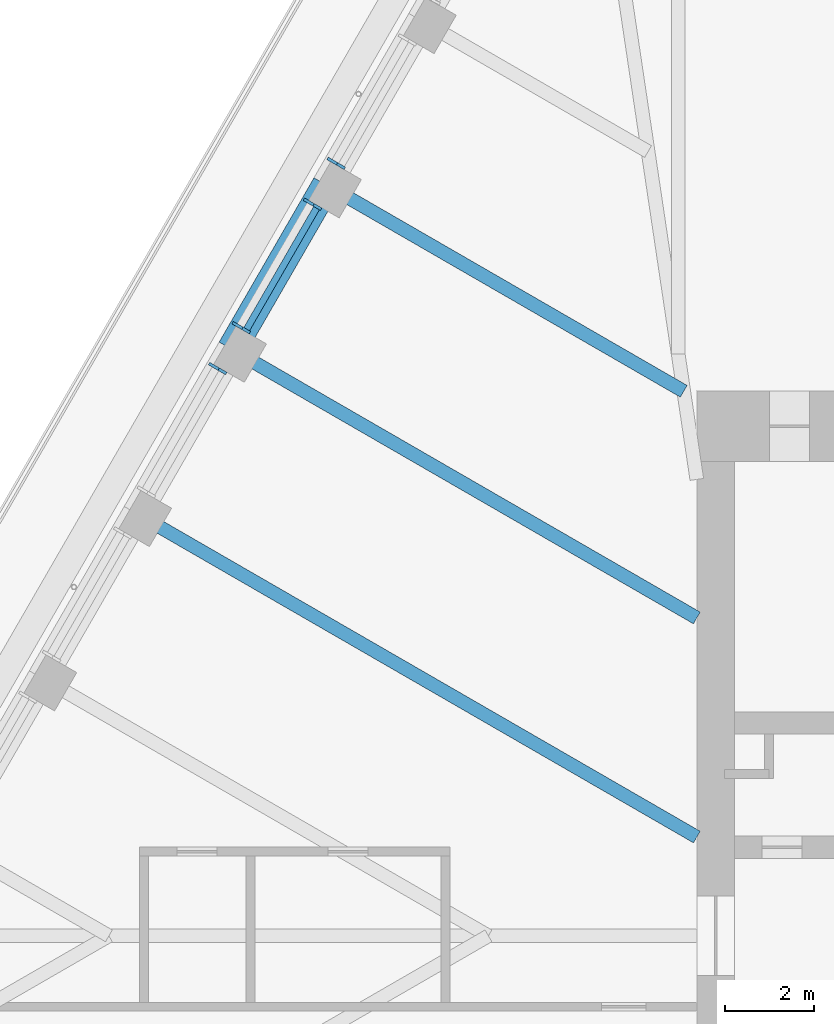
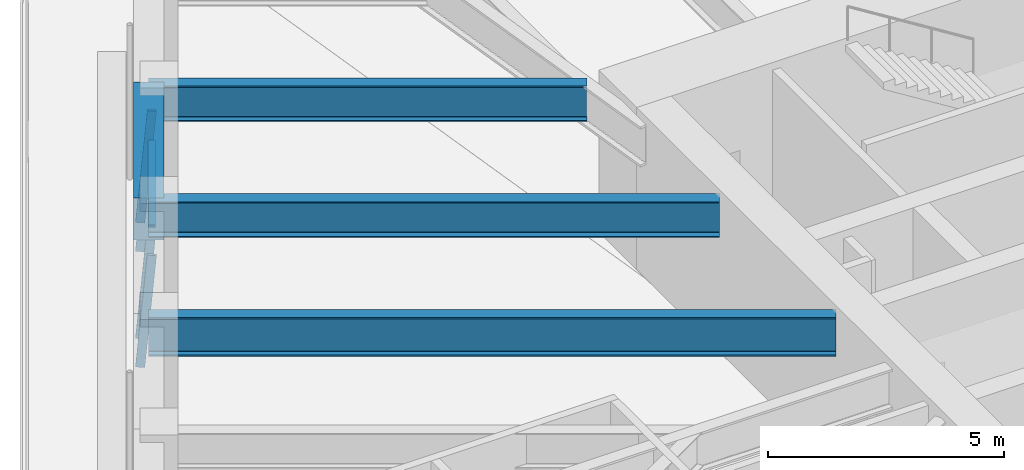
# One storey, part 7 of 19: 5 members, 4 beams, 3 elements without a shape of their own.
"""IFC4 building model written with IfcOpenShell, lengths in metres."""

from ifc_helpers import new_model, si_unit, direction, frame, origin, origin_2d, place, context, subcontext, project, spatial, rectangle, i_section, extrude, material, material_profile, profile_set, type_object, element, aggregate, save


model = new_model("IFC4")

# Units and contexts
model_context = context("Model", 3, precision=1e-05, world=origin(), true_north=direction((0.0, 1.0)))
body_context = subcontext(model_context, "Body", "Model", "MODEL_VIEW")
ifc_project = project(units=[si_unit("LENGTHUNIT", "METRE"), si_unit("AREAUNIT", "SQUARE_METRE"), si_unit("VOLUMEUNIT", "CUBIC_METRE"), si_unit("PLANEANGLEUNIT", "RADIAN"), si_unit("MASSUNIT", "GRAM", prefix="KILO")], contexts=[model_context])

# Site, building, storey
site_placement = place(None, origin())
site = spatial("IfcSite", under=ifc_project, at=site_placement, CompositionType="ELEMENT")
building_placement = place(site_placement, origin())
building = spatial("IfcBuilding", under=site, at=building_placement, Name="Tarfa Lantern Tower", CompositionType="ELEMENT")
storey_placement = place(building_placement, frame((0.0, 0.0, 336.699951171875)))
storey = spatial("IfcBuildingStorey", under=building, at=storey_placement, Name="L76", CompositionType="ELEMENT", Elevation=336.699951171875)

# Curtain wall, member
ifc_material_1 = material(Name="Aluminium framed curtain wall", Category="aluminium")
curtain_wall_type = type_object("IfcCurtainWallType", Name="CW4 CANTED GLAZING EXECUTIVE ZONE 2900", PredefinedType="USERDEFINED", material=ifc_material_1)
curtain_wall_1_placement = place(storey_placement, origin())
curtain_wall_1 = element("IfcCurtainWall", 1, at=curtain_wall_1_placement, inside=storey, type_object=curtain_wall_type, Name="CW4 NW L76", ObjectType="CURTAIN WALL", PredefinedType="USERDEFINED")
ifc_material_2 = material(Name="Aluminium mullion", Category="aluminium")
ifc_material_profile_1 = material_profile(ifc_material_2, rectangle(XDim=0.06494140625, YDim=0.199951171875, at=origin_2d()), Name="AL MULLION 65x200")
ifc_profile_set_1 = profile_set([ifc_material_profile_1], Name="Aluminium mullion")
member_type_1 = type_object("IfcMemberType", Name="CWM1 MULLION 65x200", PredefinedType="MULLION", material=ifc_profile_set_1)
member_1_placement = place(storey_placement, frame((-20.67236328125, 17.494384765625, 0.0), z_axis=(0.074393603155, -0.042941967097, 0.996303959277), x_axis=(0.499919672301, 0.866071776036, 0.0)))
member_1 = element("IfcMember", 2, at=member_1_placement, type_object=member_type_1, Name="CW4 mullion 2", PredefinedType="MULLION", context=body_context, shape_type="SweptSolid", body=[
    extrude(rectangle(XDim=0.06494140625, YDim=0.199951171875, at=origin_2d()), origin(), (0.0, 0.0, 1.0), 2.910888671875),
])
aggregate(curtain_wall_1, [member_1])

# Curtain wall, members
curtain_wall_2_placement = place(storey_placement, origin())
curtain_wall_2 = element("IfcCurtainWall", 3, at=curtain_wall_2_placement, inside=storey, type_object=curtain_wall_type, Name="CW4 NW L76", ObjectType="CURTAIN WALL", PredefinedType="USERDEFINED")
member_2_placement = place(storey_placement, frame((-21.204833984375, 16.572265625, 0.0), z_axis=(0.074393603155, -0.042941967097, 0.996303959277), x_axis=(0.499919672301, 0.866071776036, 0.0)))
member_2 = element("IfcMember", 4, at=member_2_placement, type_object=member_type_1, Name="CW4 mullion 1", PredefinedType="MULLION", context=body_context, shape_type="SweptSolid", body=[
    extrude(rectangle(XDim=0.06494140625, YDim=0.199951171875, at=origin_2d()), origin(), (0.0, 0.0, 1.0), 2.910888671875),
])
member_3_placement = place(storey_placement, frame((-22.813232421875, 13.7861328125, 0.0), z_axis=(0.074310195522, -0.042942234884, 0.996310172238), x_axis=(0.500342721131, 0.865827443207, 0.0)))
member_3 = element("IfcMember", 5, at=member_3_placement, type_object=member_type_1, Name="CW4 mullion 2", PredefinedType="MULLION", context=body_context, shape_type="SweptSolid", body=[
    extrude(rectangle(XDim=0.06494140625, YDim=0.199951171875, at=origin_2d()), origin(), (0.0, 0.0, 1.0), 2.910888671875),
])

# Curtain wall, member
curtain_wall_3_placement = place(storey_placement, origin())
curtain_wall_3 = element("IfcCurtainWall", 6, at=curtain_wall_3_placement, inside=storey, type_object=curtain_wall_type, Name="CW4 NW L76", ObjectType="CURTAIN WALL", PredefinedType="USERDEFINED")
member_4_placement = place(storey_placement, frame((-23.345947265625, 12.86376953125, 0.0), z_axis=(0.074393603155, -0.042941967097, 0.996303959277), x_axis=(0.499919672301, 0.866071776036, 0.0)))
member_4 = element("IfcMember", 7, at=member_4_placement, type_object=member_type_1, Name="CW4 mullion 1", PredefinedType="MULLION", context=body_context, shape_type="SweptSolid", body=[
    extrude(rectangle(XDim=0.06494140625, YDim=0.199951171875, at=origin_2d()), origin(), (0.0, 0.0, 1.0), 2.910888671875),
])
aggregate(curtain_wall_3, [member_4])

# Member
ifc_material_3 = material(Name="Aluminium transom", Category="aluminium")
ifc_material_profile_2 = material_profile(ifc_material_3, rectangle(XDim=0.14990234375, YDim=0.06494140625, at=origin_2d()), Name="AL TRANSOM 150x65")
ifc_profile_set_2 = profile_set([ifc_material_profile_2], Name="Aluminium transom")
member_type_2 = type_object("IfcMemberType", Name="CWT1 TRANSOM 150x65", PredefinedType="USERDEFINED", material=ifc_profile_set_2)
member_5_placement = place(storey_placement, frame((-21.007080078125, 16.42041015625, 2.867431640625), z_axis=(-0.499979472441, -0.866037255052, 0.0), x_axis=(0.866037255052, -0.499979472441, 0.0)))
member_5 = element("IfcMember", 8, at=member_5_placement, type_object=member_type_2, Name="CW4 transom 1.2", ObjectType="TRANSOM", PredefinedType="USERDEFINED", context=body_context, shape_type="SweptSolid", body=[
    extrude(rectangle(XDim=0.14990234375, YDim=0.06494140625, at=origin_2d()), origin(), (0.0, 0.0, 1.0), 3.152099609375),
])

aggregate(curtain_wall_2, [member_2, member_3, member_5])

# Beams
ifc_material_4 = material(Name="Concrete C80/95", Category="concrete")
ifc_material_profile_3 = material_profile(ifc_material_4, rectangle(XDim=0.64990234375, YDim=1.10009765625, at=origin_2d()), Name="RC 650x1100")
ifc_profile_set_3 = profile_set([ifc_material_profile_3], Name="Concrete C80/95")
beam_type_1 = type_object("IfcBeamType", Name="EB4 RC 650x1100", PredefinedType="SPANDREL", material=ifc_profile_set_3)
beam_1_placement = place(storey_placement, frame((-20.78271484375, 16.943359375, 3.449951171875), z_axis=(-0.499984039138, -0.866034618596, 0.0), x_axis=(0.866034618596, -0.499984039138, 0.0)))
element("IfcBeam", 9, at=beam_1_placement, inside=storey, type_object=beam_type_1, Name="Edge beam NW2", PredefinedType="SPANDREL", context=body_context, shape_type="SweptSolid", body=[
    extrude(rectangle(XDim=0.64990234375, YDim=1.10009765625, at=origin_2d()), origin(), (0.0, 0.0, 1.0), 4.281982421875),
])
ifc_material_5 = material(Name="Steel S460M", Category="steel")
ifc_material_profile_4 = material_profile(ifc_material_5, i_section(OverallWidth=0.302001953125, OverallDepth=1.008056640625, WebThickness=0.02099609375, FlangeThickness=0.0400390625, FilletRadius=0.030029296875, at=origin_2d()), Name="UB1016x305x349")
ifc_profile_set_4 = profile_set([ifc_material_profile_4], Name="Steel S460M")
beam_type_2 = type_object("IfcBeamType", Name="UB1016x305x349", PredefinedType="BEAM", material=ifc_profile_set_4)
beam_2_placement = place(storey_placement, frame((-25.064697265625, 9.526611328125, 3.49609375), z_axis=(0.866029591389, -0.499992746786, 0.0), x_axis=(0.499992746786, 0.866029591389, 0.0)))
element("IfcBeam", 10, at=beam_2_placement, inside=storey, type_object=beam_type_2, Name="Floor beam NW4", PredefinedType="BEAM", context=body_context, shape_type="SweptSolid", body=[
    extrude(i_section(OverallWidth=0.302001953125, OverallDepth=1.008056640625, WebThickness=0.02099609375, FlangeThickness=0.0400390625, FilletRadius=0.030029296875, at=origin_2d()), origin(), (0.0, 0.0, 1.0), 14.594970703125),
])
ifc_material_profile_5 = material_profile(ifc_material_5, i_section(OverallWidth=0.305419921875, OverallDepth=0.91845703125, WebThickness=0.017333984375, FlangeThickness=0.02783203125, FilletRadius=0.01904296875, at=origin_2d()), Name="UB914x305x253")
ifc_profile_set_5 = profile_set([ifc_material_profile_5], Name="Steel S460M")
beam_type_3 = type_object("IfcBeamType", Name="UB914x305x253", PredefinedType="BEAM", material=ifc_profile_set_5)
beam_3_placement = place(storey_placement, frame((-20.78271484375, 16.943359375, 3.540771484375), z_axis=(0.866021806508, -0.500006230613, 0.0), x_axis=(0.500006230613, 0.866021806508, 0.0)))
element("IfcBeam", 11, at=beam_3_placement, inside=storey, type_object=beam_type_3, Name="Floor beam NW2", PredefinedType="BEAM", context=body_context, shape_type="SweptSolid", body=[
    extrude(i_section(OverallWidth=0.305419921875, OverallDepth=0.91845703125, WebThickness=0.017333984375, FlangeThickness=0.02783203125, FilletRadius=0.01904296875, at=origin_2d()), origin(), (0.0, 0.0, 1.0), 9.30908203125),
])
beam_4_placement = place(storey_placement, frame((-22.923583984375, 13.235107421875, 3.540771484375), z_axis=(0.86601856927, -0.500011837539, 0.0), x_axis=(0.500011837539, 0.86601856927, 0.0)))
element("IfcBeam", 12, at=beam_4_placement, inside=storey, type_object=beam_type_3, Name="Floor beam NW3", PredefinedType="BEAM", context=body_context, shape_type="SweptSolid", body=[
    extrude(i_section(OverallWidth=0.305419921875, OverallDepth=0.91845703125, WebThickness=0.017333984375, FlangeThickness=0.02783203125, FilletRadius=0.01904296875, at=origin_2d()), origin(), (0.0, 0.0, 1.0), 12.122802734375),
])

save(model, "model.ifc")
